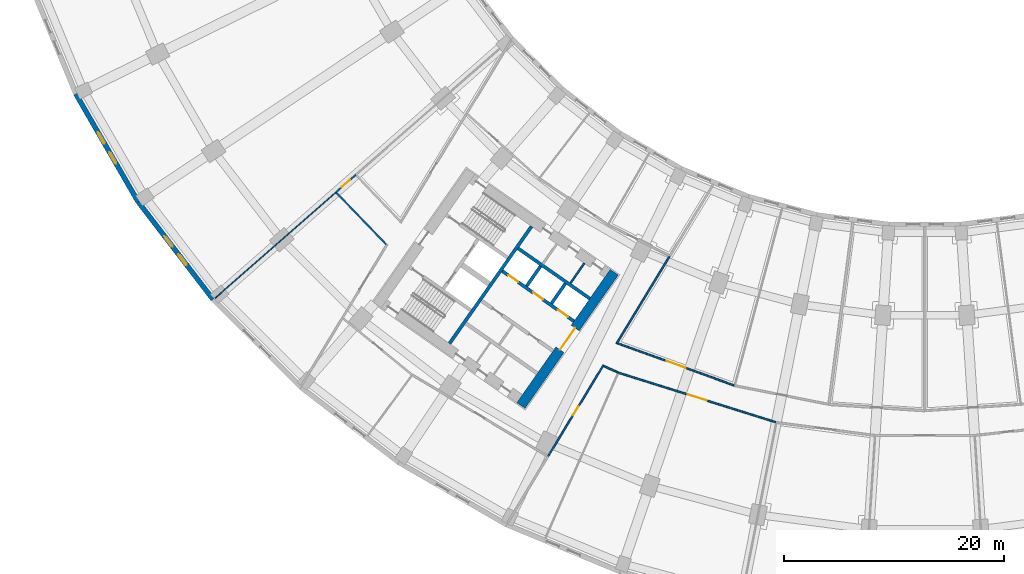
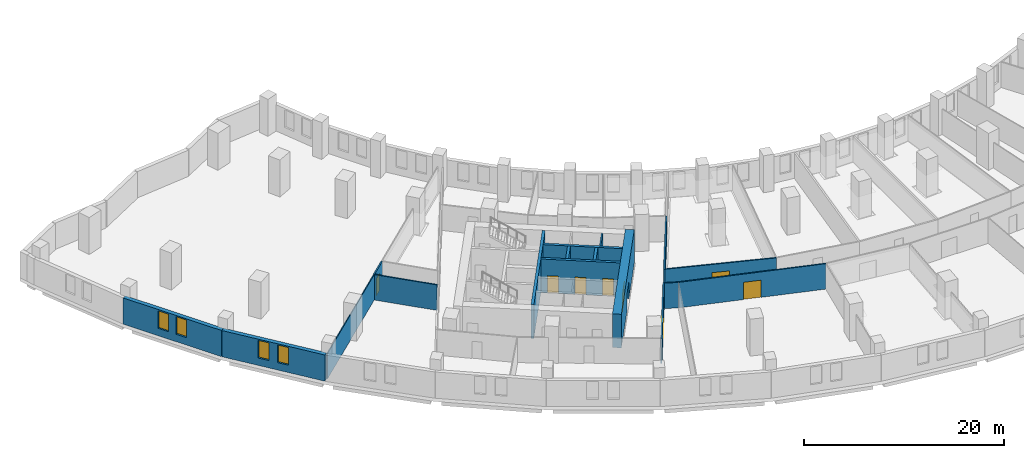
# One storey, part 6 of 20: 17 walls, 8 doors, 4 windows, 12 openings.
"""IFC4 building model written with IfcOpenShell, lengths in metres."""

from ifc_helpers import new_model, si_unit, direction, frame, frame_2d, origin, place, context, subcontext, project, spatial, rectangle, extrude, material, layer, layer_set, type_object, element, fill, save


model = new_model("IFC4")

# Units and contexts
model_context = context("Model", 3, precision=1e-05, world=origin(), true_north=direction((0.0, 1.0)))
body_context = subcontext(model_context, "Body", "Model", "MODEL_VIEW")
ifc_project = project(units=[si_unit("LENGTHUNIT", "METRE"), si_unit("AREAUNIT", "SQUARE_METRE"), si_unit("VOLUMEUNIT", "CUBIC_METRE"), si_unit("PLANEANGLEUNIT", "RADIAN"), si_unit("MASSUNIT", "GRAM", prefix="KILO")], contexts=[model_context])

# Site, building, storey
site_placement = place(None, origin())
site = spatial("IfcSite", under=ifc_project, at=site_placement, CompositionType="ELEMENT")
building_placement = place(site_placement, origin())
building = spatial("IfcBuilding", under=site, at=building_placement, Name="Qamariyya Broadcast Tower", CompositionType="ELEMENT")
storey_placement = place(building_placement, frame((0.0, 0.0, 27.0)))
storey = spatial("IfcBuildingStorey", under=building, at=storey_placement, Name="L03", CompositionType="ELEMENT", Elevation=27.0)

# Wall, opening, door
ifc_material_1 = material(Name="Concrete C70/85", Category="concrete")
ifc_layer_1 = layer(ifc_material_1, 0.89990234375)
ifc_layer_set_1 = layer_set([ifc_layer_1], Name="Core wall 900 mm Concrete C70/85")
wall_type_1 = type_object("IfcWallType", Name="Core wall 900 mm Concrete C70/85", PredefinedType="SHEAR", material=ifc_layer_set_1)
wall_1_placement = place(storey_placement, frame((-36.716796875, -66.3369140625, 0.0), z_axis=(0.0, 0.0, 1.0), x_axis=(0.573577477574, 0.819151315216, 0.0)))
wall_1 = element("IfcWall", 1, at=wall_1_placement, inside=storey, type_object=wall_type_1, Name="k-W-L03-WA", PredefinedType="SHEAR", context=body_context, shape_type="SweptSolid", body=[
    extrude(rectangle(XDim=14.800048828125, YDim=0.89990234375, at=frame_2d((7.39990234375, 0.0))), origin(), (0.0, 0.0, 1.0), 4.10009765625),
])
opening_1_placement = place(wall_1_placement, frame((6.199951171875, 0.0, 0.0)))
opening_1 = element("IfcOpeningElement", 2, at=opening_1_placement, cuts=wall_1, Name="Opening KD3-W1", PredefinedType="OPENING", context=body_context, shape_type="SweptSolid", body=[
    extrude(rectangle(XDim=2.39990234375, YDim=2.10009765625, at=frame_2d((1.199951171875, 1.050048828125))), frame((0.0, 0.4599609375, 0.0), z_axis=(0.0, -1.0, 0.0), x_axis=(1.0, 0.0, 0.0)), (0.0, 0.0, 1.0), 0.919921875),
])
ifc_material_2 = material(Name="Steel fire-resisting door leaf", Category="steel")
door_type_1 = type_object("IfcDoorType", Name="Lift lobby door KD3", OperationType="DOUBLE_DOOR_SINGLE_SWING", PredefinedType="DOOR", material=ifc_material_2)
door_1_placement = place(opening_1_placement, origin())
door_1 = element("IfcDoor", 3, at=door_1_placement, inside=storey, type_object=door_type_1, Name="k-W-L03-WA-D1", OperationType="DOUBLE_DOOR_SINGLE_SWING", OverallHeight=2.10009765625, OverallWidth=2.39990234375, PredefinedType="DOOR", context=body_context, shape_type="SweptSolid", body=[
    extrude(rectangle(XDim=2.39990234375, YDim=2.10009765625, at=frame_2d((1.199951171875, 1.050048828125))), frame((0.0, 0.02490234375, 0.0), z_axis=(0.0, -1.0, 0.0), x_axis=(1.0, 0.0, 0.0)), (0.0, 0.0, 1.0), 0.050048828125),
])
fill(opening_1, door_1)

ifc_material_3 = material(Name="Gypsum board partition")
ifc_layer_2 = layer(ifc_material_3, 0.14990234375)
ifc_layer_set_2 = layer_set([ifc_layer_2], Name="Corridor partition 150 EI 60")
wall_type_2 = type_object("IfcWallType", Name="Corridor partition 150 EI 60", PredefinedType="PARTITIONING", material=ifc_layer_set_2)
wall_2_placement = place(storey_placement, frame((-53.531005859375, -46.9453125, 0.0), z_axis=(0.0, 0.0, 1.0), x_axis=(0.751876772813, 0.659303661832, 0.0)))
wall_2 = element("IfcWall", 4, at=wall_2_placement, inside=storey, type_object=wall_type_2, Name="Partition L03-002", PredefinedType="PARTITIONING", context=body_context, shape_type="SweptSolid", body=[
    extrude(rectangle(XDim=2.39990234375, YDim=0.14990234375, at=frame_2d((1.199951171875, 0.0))), origin(), (0.0, 0.0, 1.0), 3.10009765625),
])
opening_2_placement = place(wall_2_placement, frame((0.699951171875, 0.0, 0.0)))
opening_2 = element("IfcOpeningElement", 5, at=opening_2_placement, cuts=wall_2, Name="Opening L03-D22", PredefinedType="OPENING", context=body_context, shape_type="SweptSolid", body=[
    extrude(rectangle(XDim=1.0, YDim=2.10009765625, at=frame_2d((0.5, 1.050048828125))), frame((0.0, 0.0849609375, 0.0), z_axis=(0.0, -1.0, 0.0), x_axis=(1.0, 0.0, 0.0)), (0.0, 0.0, 1.0), 0.169921875),
])
ifc_material_4 = material(Name="Timber fire door leaf", Category="wood")
door_type_2 = type_object("IfcDoorType", Name="Fire door 1000 x 2100 FD60", OperationType="NOTDEFINED", PredefinedType="DOOR", material=ifc_material_4)
door_2_placement = place(opening_2_placement, origin())
door_2 = element("IfcDoor", 6, at=door_2_placement, inside=storey, type_object=door_type_2, Name="Door L03-D22", OperationType="SINGLE_SWING_RIGHT", OverallHeight=2.10009765625, OverallWidth=1.0, PredefinedType="DOOR", context=body_context, shape_type="SweptSolid", body=[
    extrude(rectangle(XDim=1.0, YDim=2.10009765625, at=frame_2d((0.5, 1.050048828125))), frame((0.0, 0.02490234375, 0.0), z_axis=(0.0, -1.0, 0.0), x_axis=(1.0, 0.0, 0.0)), (0.0, 0.0, 1.0), 0.050048828125),
])
fill(opening_2, door_2)

# Wall
wall_3_placement = place(storey_placement, frame((-48.961181640625, -51.68896484375, 0.0), z_axis=(0.0, 0.0, 1.0), x_axis=(-0.693805223412, 0.72016269826, 0.0)))
element("IfcWall", 7, at=wall_3_placement, inside=storey, type_object=wall_type_2, Name="Partition L03-007", PredefinedType="PARTITIONING", context=body_context, shape_type="SweptSolid", body=[
    extrude(rectangle(XDim=6.51171875, YDim=0.14990234375, at=frame_2d((3.255859375, 0.0))), origin(), (0.0, 0.0, 1.0), 3.10009765625),
])

# Wall, opening, door
wall_4_placement = place(storey_placement, frame((-29.20654296875, -62.65234375, 0.0), z_axis=(0.0, 0.0, 1.0), x_axis=(-0.519573423316, -0.854425805897, 0.0)))
wall_4 = element("IfcWall", 8, at=wall_4_placement, inside=storey, type_object=wall_type_2, Name="Partition L03-018", PredefinedType="PARTITIONING", context=body_context, shape_type="SweptSolid", body=[
    extrude(rectangle(XDim=9.72607421875, YDim=0.14990234375, at=frame_2d((4.863037109375, 0.0))), origin(), (0.0, 0.0, 1.0), 3.10009765625),
])
opening_3_placement = place(wall_4_placement, frame((4.4130859375, 0.0, 0.0)))
opening_3 = element("IfcOpeningElement", 9, at=opening_3_placement, cuts=wall_4, Name="Opening L03-D01", PredefinedType="OPENING", context=body_context, shape_type="SweptSolid", body=[
    extrude(rectangle(XDim=0.89990234375, YDim=2.10009765625, at=frame_2d((0.449951171875, 1.050048828125))), frame((0.0, 0.0849609375, 0.0), z_axis=(0.0, -1.0, 0.0), x_axis=(1.0, 0.0, 0.0)), (0.0, 0.0, 1.0), 0.169921875),
])
door_type_3 = type_object("IfcDoorType", Name="Fire door 900 x 2100 FD60", OperationType="NOTDEFINED", PredefinedType="DOOR", material=ifc_material_4)
door_3_placement = place(opening_3_placement, origin())
door_3 = element("IfcDoor", 10, at=door_3_placement, inside=storey, type_object=door_type_3, Name="Door L03-D01", OperationType="SINGLE_SWING_RIGHT", OverallHeight=2.10009765625, OverallWidth=0.89990234375, PredefinedType="DOOR", context=body_context, shape_type="SweptSolid", body=[
    extrude(rectangle(XDim=0.89990234375, YDim=2.10009765625, at=frame_2d((0.449951171875, 1.050048828125))), frame((0.0, 0.02490234375, 0.0), z_axis=(0.0, -1.0, 0.0), x_axis=(1.0, 0.0, 0.0)), (0.0, 0.0, 1.0), 0.050048828125),
])
fill(opening_3, door_3)

# Wall
wall_5_placement = place(storey_placement, frame((-29.177001953125, -62.747314453125, 0.0), z_axis=(0.0, 0.0, 1.0), x_axis=(0.91081521274, -0.41281430237, 0.0)))
element("IfcWall", 11, at=wall_5_placement, inside=storey, type_object=wall_type_2, Name="Partition L03-019", PredefinedType="PARTITIONING", context=body_context, shape_type="SweptSolid", body=[
    extrude(rectangle(XDim=1.432861328125, YDim=0.14990234375, at=frame_2d((0.71630859375, 0.0))), origin(), (0.0, 0.0, 1.0), 3.10009765625),
])

# Wall, opening, door
wall_6_placement = place(storey_placement, frame((-27.919921875, -60.678466796875, 0.0), z_axis=(0.0, 0.0, 1.0), x_axis=(0.940369024046, -0.340155991589, 0.0)))
wall_6 = element("IfcWall", 12, at=wall_6_placement, inside=storey, type_object=wall_type_2, Name="Partition L03-021", PredefinedType="PARTITIONING", context=body_context, shape_type="SweptSolid", body=[
    extrude(rectangle(XDim=11.304931640625, YDim=0.14990234375, at=frame_2d((5.65234375, 0.0))), origin(), (0.0, 0.0, 1.0), 3.10009765625),
])
opening_4_placement = place(wall_6_placement, frame((4.75244140625, 0.0, 0.0)))
opening_4 = element("IfcOpeningElement", 13, at=opening_4_placement, cuts=wall_6, Name="Opening L03-D08", PredefinedType="OPENING", context=body_context, shape_type="SweptSolid", body=[
    extrude(rectangle(XDim=1.800048828125, YDim=2.10009765625, at=frame_2d((0.89990234375, 1.050048828125))), frame((0.0, 0.0849609375, 0.0), z_axis=(0.0, -1.0, 0.0), x_axis=(1.0, 0.0, 0.0)), (0.0, 0.0, 1.0), 0.169921875),
])
door_type_4 = type_object("IfcDoorType", Name="Double fire door 1800 x 2100 FD60", OperationType="NOTDEFINED", PredefinedType="DOOR", material=ifc_material_4)
door_4_placement = place(opening_4_placement, origin())
door_4 = element("IfcDoor", 14, at=door_4_placement, inside=storey, type_object=door_type_4, Name="Door L03-D08", OperationType="DOUBLE_DOOR_SINGLE_SWING", OverallHeight=2.10009765625, OverallWidth=1.800048828125, PredefinedType="DOOR", context=body_context, shape_type="SweptSolid", body=[
    extrude(rectangle(XDim=1.800048828125, YDim=2.10009765625, at=frame_2d((0.89990234375, 1.050048828125))), frame((0.0, 0.02490234375, 0.0), z_axis=(0.0, -1.0, 0.0), x_axis=(1.0, 0.0, 0.0)), (0.0, 0.0, 1.0), 0.050048828125),
])
fill(opening_4, door_4)

wall_7_placement = place(storey_placement, frame((-13.500244140625, -67.870361328125, 0.0), z_axis=(0.0, 0.0, 1.0), x_axis=(-0.953714063006, 0.300714958099, 0.0)))
wall_7 = element("IfcWall", 15, at=wall_7_placement, inside=storey, type_object=wall_type_2, Name="Partition L03-022", PredefinedType="PARTITIONING", context=body_context, shape_type="SweptSolid", body=[
    extrude(rectangle(XDim=15.069091796875, YDim=0.14990234375, at=frame_2d((7.53466796875, 0.0))), origin(), (0.0, 0.0, 1.0), 3.10009765625),
])
opening_5_placement = place(wall_7_placement, frame((6.634521484375, 0.0, 0.0)))
opening_5 = element("IfcOpeningElement", 16, at=opening_5_placement, cuts=wall_7, Name="Opening L03-D02", PredefinedType="OPENING", context=body_context, shape_type="SweptSolid", body=[
    extrude(rectangle(XDim=1.800048828125, YDim=2.10009765625, at=frame_2d((0.89990234375, 1.050048828125))), frame((0.0, 0.0849609375, 0.0), z_axis=(0.0, -1.0, 0.0), x_axis=(1.0, 0.0, 0.0)), (0.0, 0.0, 1.0), 0.169921875),
])
door_5_placement = place(opening_5_placement, origin())
door_5 = element("IfcDoor", 17, at=door_5_placement, inside=storey, type_object=door_type_4, Name="Door L03-D02", OperationType="DOUBLE_DOOR_SINGLE_SWING", OverallHeight=2.10009765625, OverallWidth=1.800048828125, PredefinedType="DOOR", context=body_context, shape_type="SweptSolid", body=[
    extrude(rectangle(XDim=1.800048828125, YDim=2.10009765625, at=frame_2d((0.89990234375, 1.050048828125))), frame((0.0, 0.02490234375, 0.0), z_axis=(0.0, -1.0, 0.0), x_axis=(1.0, 0.0, 0.0)), (0.0, 0.0, 1.0), 0.050048828125),
])
fill(opening_5, door_5)

# Walls
wall_8_placement = place(storey_placement, frame((-23.174072265625, -52.732421875, 0.0), z_axis=(0.0, 0.0, 1.0), x_axis=(-0.519577254173, -0.854423476355, 0.0)))
element("IfcWall", 18, at=wall_8_placement, inside=storey, type_object=wall_type_2, Name="Partition L03-024", PredefinedType="PARTITIONING", context=body_context, shape_type="SweptSolid", body=[
    extrude(rectangle(XDim=9.344970703125, YDim=0.14990234375, at=frame_2d((4.67236328125, 0.0))), origin(), (0.0, 0.0, 1.0), 3.10009765625),
])
ifc_material_5 = material(Name="Gypsum board partition on steel studs", Category="steel")
ifc_layer_3 = layer(ifc_material_5, 0.14990234375)
ifc_layer_set_3 = layer_set([ifc_layer_3], Name="Gypsum board partition 150 mm")
wall_type_3 = type_object("IfcWallType", Name="Gypsum board partition 150 mm", PredefinedType="PARTITIONING", material=ifc_layer_set_3)
wall_9_placement = place(storey_placement, frame((-32.2177734375, -55.204345703125, 0.0), z_axis=(0.0, 0.0, 1.0), x_axis=(0.573581496053, 0.819148501424, 0.0)))
element("IfcWall", 19, at=wall_9_placement, inside=storey, type_object=wall_type_3, Name="k-W-L03-NP225", PredefinedType="PARTITIONING", context=body_context, shape_type="SweptSolid", body=[
    extrude(rectangle(XDim=2.2001953125, YDim=0.14990234375, at=frame_2d((1.10009765625, 0.0))), origin(), (0.0, 0.0, 1.0), 4.10009765625),
])
ifc_material_6 = material(Name="Concrete C60/75", Category="concrete")
ifc_layer_4 = layer(ifc_material_6, 0.300048828125)
ifc_layer_set_4 = layer_set([ifc_layer_4], Name="Lift shaft wall 300 mm Concrete C60/75")
wall_type_4 = type_object("IfcWallType", Name="Lift shaft wall 300 mm Concrete C60/75", PredefinedType="SOLIDWALL", material=ifc_layer_set_4)
wall_10_placement = place(storey_placement, frame((-43.204345703125, -60.69580078125, 0.0), z_axis=(0.0, 0.0, 1.0), x_axis=(0.573571992966, 0.819155155563, 0.0)))
element("IfcWall", 20, at=wall_10_placement, inside=storey, type_object=wall_type_4, Name="k-W-L03-WL", PredefinedType="SOLIDWALL", context=body_context, shape_type="SweptSolid", body=[
    extrude(rectangle(XDim=13.000244140625, YDim=0.300048828125, at=frame_2d((6.5, 0.0))), origin(), (0.0, 0.0, 1.0), 4.10009765625),
])

# Wall, openings, doors
wall_11_placement = place(storey_placement, frame((-31.89453125, -58.66552734375, 0.0), z_axis=(0.0, 0.0, 1.0), x_axis=(-0.819166993208, 0.573555086491, 0.0)))
wall_11 = element("IfcWall", 21, at=wall_11_placement, inside=storey, type_object=wall_type_4, Name="k-W-L03-NF0", PredefinedType="SOLIDWALL", context=body_context, shape_type="SweptSolid", body=[
    extrude(rectangle(XDim=7.9501953125, YDim=0.300048828125, at=frame_2d((3.97509765625, 0.0))), origin(), (0.0, 0.0, 1.0), 4.10009765625),
])
opening_6_placement = place(wall_11_placement, frame((0.675048828125, 0.0, 0.0)))
opening_6 = element("IfcOpeningElement", 22, at=opening_6_placement, cuts=wall_11, Name="Opening LD", PredefinedType="OPENING", context=body_context, shape_type="SweptSolid", body=[
    extrude(rectangle(XDim=1.10009765625, YDim=2.10009765625, at=frame_2d((0.550048828125, 1.050048828125))), frame((0.0, 0.159912109375, 0.0), z_axis=(0.0, -1.0, 0.0), x_axis=(1.0, 0.0, 0.0)), (0.0, 0.0, 1.0), 0.320068359375),
])
opening_7_placement = place(wall_11_placement, frame((3.425048828125, 0.0, 0.0)))
opening_7 = element("IfcOpeningElement", 23, at=opening_7_placement, cuts=wall_11, Name="Opening LD", PredefinedType="OPENING", context=body_context, shape_type="SweptSolid", body=[
    extrude(rectangle(XDim=1.10009765625, YDim=2.10009765625, at=frame_2d((0.550048828125, 1.050048828125))), frame((0.0, 0.159912109375, 0.0), z_axis=(0.0, -1.0, 0.0), x_axis=(1.0, 0.0, 0.0)), (0.0, 0.0, 1.0), 0.320068359375),
])
opening_8_placement = place(wall_11_placement, frame((6.175048828125, 0.0, 0.0)))
opening_8 = element("IfcOpeningElement", 24, at=opening_8_placement, cuts=wall_11, Name="Opening LD", PredefinedType="OPENING", context=body_context, shape_type="SweptSolid", body=[
    extrude(rectangle(XDim=1.10009765625, YDim=2.10009765625, at=frame_2d((0.550048828125, 1.050048828125))), frame((0.0, 0.159912109375, 0.0), z_axis=(0.0, -1.0, 0.0), x_axis=(1.0, 0.0, 0.0)), (0.0, 0.0, 1.0), 0.320068359375),
])
door_type_5 = type_object("IfcDoorType", Name="Lift landing door LD", OperationType="DOUBLE_DOOR_SLIDING", PredefinedType="DOOR", material=ifc_material_2)
door_6_placement = place(opening_6_placement, origin())
door_6 = element("IfcDoor", 25, at=door_6_placement, inside=storey, type_object=door_type_5, Name="k-W-L03-NF0-D2", OperationType="DOUBLE_DOOR_SLIDING", OverallHeight=2.10009765625, OverallWidth=1.10009765625, PredefinedType="DOOR", context=body_context, shape_type="SweptSolid", body=[
    extrude(rectangle(XDim=1.10009765625, YDim=2.10009765625, at=frame_2d((0.550048828125, 1.050048828125))), frame((0.0, 0.02490234375, 0.0), z_axis=(0.0, -1.0, 0.0), x_axis=(1.0, 0.0, 0.0)), (0.0, 0.0, 1.0), 0.050048828125),
])
fill(opening_6, door_6)
door_7_placement = place(opening_7_placement, origin())
door_7 = element("IfcDoor", 26, at=door_7_placement, inside=storey, type_object=door_type_5, Name="k-W-L03-NF0-D3", OperationType="DOUBLE_DOOR_SLIDING", OverallHeight=2.10009765625, OverallWidth=1.10009765625, PredefinedType="DOOR", context=body_context, shape_type="SweptSolid", body=[
    extrude(rectangle(XDim=1.10009765625, YDim=2.10009765625, at=frame_2d((0.550048828125, 1.050048828125))), frame((0.0, 0.02490234375, 0.0), z_axis=(0.0, -1.0, 0.0), x_axis=(1.0, 0.0, 0.0)), (0.0, 0.0, 1.0), 0.050048828125),
])
fill(opening_7, door_7)
door_8_placement = place(opening_8_placement, origin())
door_8 = element("IfcDoor", 27, at=door_8_placement, inside=storey, type_object=door_type_5, Name="k-W-L03-NF0-D4", OperationType="DOUBLE_DOOR_SLIDING", OverallHeight=2.10009765625, OverallWidth=1.10009765625, PredefinedType="DOOR", context=body_context, shape_type="SweptSolid", body=[
    extrude(rectangle(XDim=1.10009765625, YDim=2.10009765625, at=frame_2d((0.550048828125, 1.050048828125))), frame((0.0, 0.02490234375, 0.0), z_axis=(0.0, -1.0, 0.0), x_axis=(1.0, 0.0, 0.0)), (0.0, 0.0, 1.0), 0.050048828125),
])
fill(opening_8, door_8)

# Walls
wall_12_placement = place(storey_placement, frame((-30.460693359375, -56.61767578125, 0.0), z_axis=(0.0, 0.0, 1.0), x_axis=(-0.819142461705, 0.573590121456, 0.0)))
element("IfcWall", 28, at=wall_12_placement, inside=storey, type_object=wall_type_4, Name="k-W-L03-NB0", PredefinedType="SOLIDWALL", context=body_context, shape_type="SweptSolid", body=[
    extrude(rectangle(XDim=7.949951171875, YDim=0.300048828125, at=frame_2d((3.97509765625, 0.0))), origin(), (0.0, 0.0, 1.0), 4.10009765625),
])
wall_13_placement = place(storey_placement, frame((-33.9384765625, -57.051513671875, 0.0), z_axis=(0.0, 0.0, 1.0), x_axis=(0.573581496053, 0.819148501424, 0.0)))
element("IfcWall", 29, at=wall_13_placement, inside=storey, type_object=wall_type_4, Name="k-W-L03-ND0", PredefinedType="SOLIDWALL", context=body_context, shape_type="SweptSolid", body=[
    extrude(rectangle(XDim=2.2001953125, YDim=0.300048828125, at=frame_2d((1.10009765625, 0.0))), origin(), (0.0, 0.0, 1.0), 4.10009765625),
])
wall_14_placement = place(storey_placement, frame((-36.19091796875, -55.47412109375, 0.0), z_axis=(0.0, 0.0, 1.0), x_axis=(0.573507030513, 0.819200638399, 0.0)))
element("IfcWall", 30, at=wall_14_placement, inside=storey, type_object=wall_type_4, Name="k-W-L03-ND1", PredefinedType="SOLIDWALL", context=body_context, shape_type="SweptSolid", body=[
    extrude(rectangle(XDim=2.199951171875, YDim=0.300048828125, at=frame_2d((1.10009765625, 0.0))), origin(), (0.0, 0.0, 1.0), 4.10009765625),
])
ifc_layer_5 = layer(ifc_material_3, 0.10009765625)
ifc_layer_set_5 = layer_set([ifc_layer_5], Name="Partition 100")
wall_type_5 = type_object("IfcWallType", Name="Partition 100", PredefinedType="PARTITIONING", material=ifc_layer_set_5)
wall_15_placement = place(storey_placement, frame((-64.5078125, -56.57177734375, 0.0), z_axis=(0.0, 0.0, 1.0), x_axis=(0.751837641873, 0.659348284492, 0.0)))
element("IfcWall", 31, at=wall_15_placement, inside=storey, type_object=wall_type_5, Name="Partition L03-001", PredefinedType="PARTITIONING", context=body_context, shape_type="SweptSolid", body=[
    extrude(rectangle(XDim=14.599853515625, YDim=0.10009765625, at=frame_2d((7.2998046875, 0.0))), origin(), (0.0, 0.0, 1.0), 3.10009765625),
])

# Wall, openings, windows
ifc_material_7 = material(Name="Precast concrete C40/50 with terracotta facing", Category="masonry")
ifc_layer_6 = layer(ifc_material_7, 0.449951171875)
ifc_layer_set_6 = layer_set([ifc_layer_6], Name="Precast concrete C40/50 wall 450, terracotta faced")
wall_type_6 = type_object("IfcWallType", Name="Precast concrete C40/50 wall 450, terracotta faced", PredefinedType="SOLIDWALL", material=ifc_layer_set_6)
wall_16_placement = place(storey_placement, frame((-77.16796875, -38.021728515625, 0.0), z_axis=(0.0, 0.0, 1.0), x_axis=(0.500001430823, -0.866024577697, 0.0)))
wall_16 = element("IfcWall", 32, at=wall_16_placement, inside=storey, type_object=wall_type_6, Name="e-wl-L03-out20", PredefinedType="SOLIDWALL", context=body_context, shape_type="SweptSolid", body=[
    extrude(rectangle(XDim=11.3125, YDim=0.449951171875, at=frame_2d((5.65625, 0.0))), origin(), (0.0, 0.0, 1.0), 3.199951171875),
])
opening_9_placement = place(wall_16_placement, frame((4.00634765625, 0.0, 0.89990234375)))
opening_9 = element("IfcOpeningElement", 33, at=opening_9_placement, cuts=wall_16, Name="Opening W3", PredefinedType="OPENING", context=body_context, shape_type="SweptSolid", body=[
    extrude(rectangle(XDim=1.199951171875, YDim=2.14990234375, at=frame_2d((0.60009765625, 1.074951171875))), frame((0.0, 0.23486328125, 0.0), z_axis=(0.0, -1.0, 0.0), x_axis=(1.0, 0.0, 0.0)), (0.0, 0.0, 1.0), 0.469970703125),
])
opening_10_placement = place(wall_16_placement, frame((6.106201171875, 0.0, 0.89990234375)))
opening_10 = element("IfcOpeningElement", 34, at=opening_10_placement, cuts=wall_16, Name="Opening W3", PredefinedType="OPENING", context=body_context, shape_type="SweptSolid", body=[
    extrude(rectangle(XDim=1.199951171875, YDim=2.14990234375, at=frame_2d((0.60009765625, 1.074951171875))), frame((0.0, 0.23486328125, 0.0), z_axis=(0.0, -1.0, 0.0), x_axis=(1.0, 0.0, 0.0)), (0.0, 0.0, 1.0), 0.469970703125),
])
ifc_material_8 = material(Name="Clear low-e double glazed unit in aluminium frame", Category="aluminium")
window_type = type_object("IfcWindowType", Name="Podium window 1200 x 2150", PartitioningType="SINGLE_PANEL", PredefinedType="WINDOW", material=ifc_material_8)
window_1_placement = place(opening_9_placement, origin())
window_1 = element("IfcWindow", 35, at=window_1_placement, inside=storey, type_object=window_type, Name="e-w-L03-out02a", OverallHeight=2.14990234375, OverallWidth=1.199951171875, PartitioningType="SINGLE_PANEL", PredefinedType="WINDOW", context=body_context, shape_type="SweptSolid", body=[
    extrude(rectangle(XDim=1.199951171875, YDim=2.14990234375, at=frame_2d((0.60009765625, 1.074951171875))), frame((0.0, 0.030029296875, 0.0), z_axis=(0.0, -1.0, 0.0), x_axis=(1.0, 0.0, 0.0)), (0.0, 0.0, 1.0), 0.06005859375),
])
fill(opening_9, window_1)
window_2_placement = place(opening_10_placement, origin())
window_2 = element("IfcWindow", 36, at=window_2_placement, inside=storey, type_object=window_type, Name="e-w-L03-out02b", OverallHeight=2.14990234375, OverallWidth=1.199951171875, PartitioningType="SINGLE_PANEL", PredefinedType="WINDOW", context=body_context, shape_type="SweptSolid", body=[
    extrude(rectangle(XDim=1.199951171875, YDim=2.14990234375, at=frame_2d((0.60009765625, 1.074951171875))), frame((0.0, 0.030029296875, 0.0), z_axis=(0.0, -1.0, 0.0), x_axis=(1.0, 0.0, 0.0)), (0.0, 0.0, 1.0), 0.06005859375),
])
fill(opening_10, window_2)

wall_17_placement = place(storey_placement, frame((-71.490966796875, -47.83935546875, 0.0), z_axis=(0.0, 0.0, 1.0), x_axis=(0.608758773695, -0.793355377778, 0.0)))
wall_17 = element("IfcWall", 37, at=wall_17_placement, inside=storey, type_object=wall_type_6, Name="e-wl-L03-out30", PredefinedType="SOLIDWALL", context=body_context, shape_type="SweptSolid", body=[
    extrude(rectangle(XDim=11.134765625, YDim=0.449951171875, at=frame_2d((5.5673828125, 0.0))), origin(), (0.0, 0.0, 1.0), 3.199951171875),
])
opening_11_placement = place(wall_17_placement, frame((3.917236328125, 0.0, 0.89990234375)))
opening_11 = element("IfcOpeningElement", 38, at=opening_11_placement, cuts=wall_17, Name="Opening W3", PredefinedType="OPENING", context=body_context, shape_type="SweptSolid", body=[
    extrude(rectangle(XDim=1.199951171875, YDim=2.14990234375, at=frame_2d((0.60009765625, 1.074951171875))), frame((0.0, 0.23486328125, 0.0), z_axis=(0.0, -1.0, 0.0), x_axis=(1.0, 0.0, 0.0)), (0.0, 0.0, 1.0), 0.469970703125),
])
opening_12_placement = place(wall_17_placement, frame((6.017333984375, 0.0, 0.89990234375)))
opening_12 = element("IfcOpeningElement", 39, at=opening_12_placement, cuts=wall_17, Name="Opening W3", PredefinedType="OPENING", context=body_context, shape_type="SweptSolid", body=[
    extrude(rectangle(XDim=1.199951171875, YDim=2.14990234375, at=frame_2d((0.60009765625, 1.074951171875))), frame((0.0, 0.23486328125, 0.0), z_axis=(0.0, -1.0, 0.0), x_axis=(1.0, 0.0, 0.0)), (0.0, 0.0, 1.0), 0.469970703125),
])
window_3_placement = place(opening_11_placement, origin())
window_3 = element("IfcWindow", 40, at=window_3_placement, inside=storey, type_object=window_type, Name="e-w-L03-out03a", OverallHeight=2.14990234375, OverallWidth=1.199951171875, PartitioningType="SINGLE_PANEL", PredefinedType="WINDOW", context=body_context, shape_type="SweptSolid", body=[
    extrude(rectangle(XDim=1.199951171875, YDim=2.14990234375, at=frame_2d((0.60009765625, 1.074951171875))), frame((0.0, 0.030029296875, 0.0), z_axis=(0.0, -1.0, 0.0), x_axis=(1.0, 0.0, 0.0)), (0.0, 0.0, 1.0), 0.06005859375),
])
fill(opening_11, window_3)
window_4_placement = place(opening_12_placement, origin())
window_4 = element("IfcWindow", 41, at=window_4_placement, inside=storey, type_object=window_type, Name="e-w-L03-out03b", OverallHeight=2.14990234375, OverallWidth=1.199951171875, PartitioningType="SINGLE_PANEL", PredefinedType="WINDOW", context=body_context, shape_type="SweptSolid", body=[
    extrude(rectangle(XDim=1.199951171875, YDim=2.14990234375, at=frame_2d((0.60009765625, 1.074951171875))), frame((0.0, 0.030029296875, 0.0), z_axis=(0.0, -1.0, 0.0), x_axis=(1.0, 0.0, 0.0)), (0.0, 0.0, 1.0), 0.06005859375),
])
fill(opening_12, window_4)

save(model, "model.ifc")
